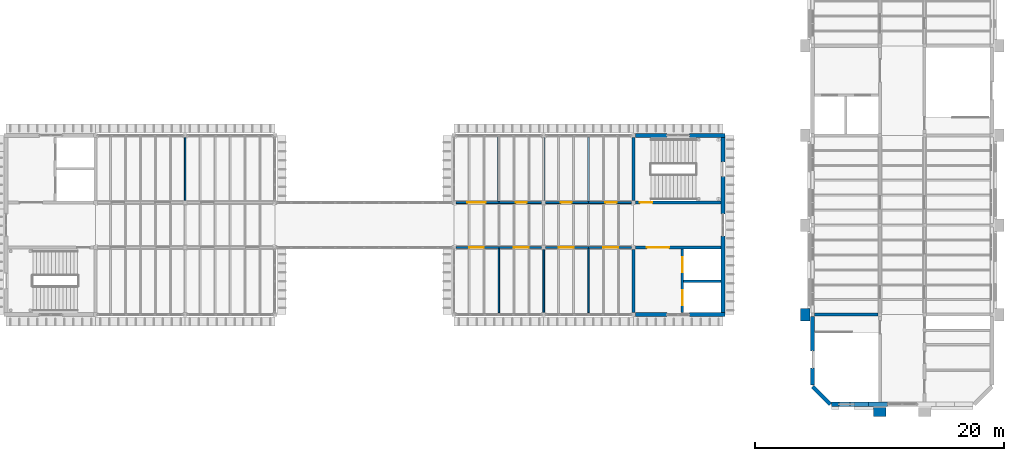
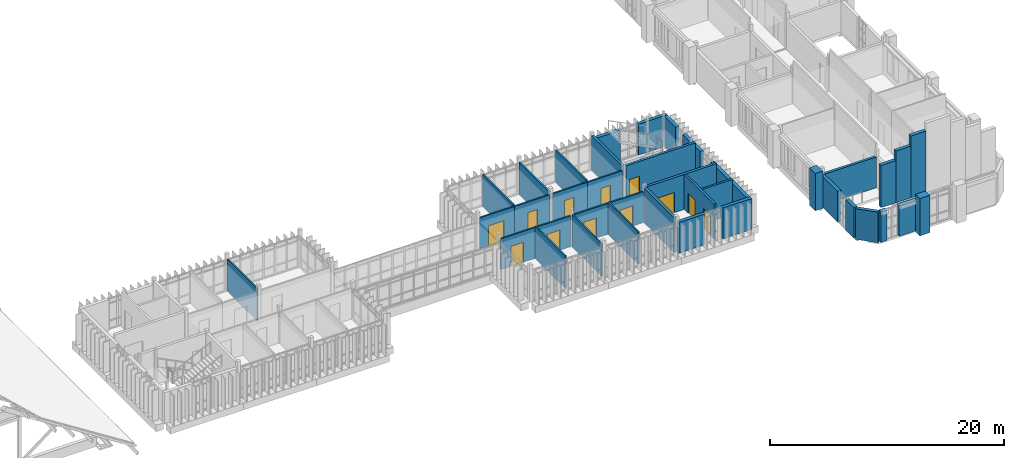
# One storey, part 45 of 71: 39 walls, 12 doors, 12 openings.
"""IFC4 building model written with IfcOpenShell, lengths in metres."""

from ifc_helpers import new_model, si_unit, direction, frame, frame_2d, origin, place, context, subcontext, project, spatial, rectangle, extrude, material, layer, layer_set, type_object, element, fill, save


model = new_model("IFC4")

# Units and contexts
model_context = context("Model", 3, precision=1e-05, world=origin(), true_north=direction((0.0, 1.0)))
body_context = subcontext(model_context, "Body", "Model", "MODEL_VIEW")
ifc_project = project(units=[si_unit("LENGTHUNIT", "METRE"), si_unit("AREAUNIT", "SQUARE_METRE"), si_unit("VOLUMEUNIT", "CUBIC_METRE"), si_unit("PLANEANGLEUNIT", "RADIAN"), si_unit("MASSUNIT", "GRAM", prefix="KILO")], contexts=[model_context])

# Site, building, storey
site_placement = place(None, origin())
site = spatial("IfcSite", under=ifc_project, at=site_placement, CompositionType="ELEMENT")
building_placement = place(site_placement, origin())
building = spatial("IfcBuilding", under=site, at=building_placement, Name="Mazhai Court Health Centre", CompositionType="ELEMENT")
storey_placement = place(building_placement, frame((0.0, 0.0, 10.199951171875)))
storey = spatial("IfcBuildingStorey", under=building, at=storey_placement, Name="L02", CompositionType="ELEMENT", Elevation=10.199951171875)

# Walls
ifc_material_1 = material(Name="Clay brick masonry", Category="masonry")
ifc_layer_1 = layer(ifc_material_1, 0.330078125)
ifc_layer_set_1 = layer_set([ifc_layer_1], Name="BRICK GABLE 330")
wall_type_1 = type_object("IfcWallType", Name="BRICK GABLE 330", PredefinedType="SOLIDWALL", material=ifc_layer_set_1)
wall_1_placement = place(storey_placement, frame((138.800048828125, 6.199951171875, 3.60009765625), z_axis=(0.0, 0.0, 1.0), x_axis=(-1.0, 0.0, 0.0)))
element("IfcWall", 1, at=wall_1_placement, inside=storey, type_object=wall_type_1, Name="EG-V6-S0", PredefinedType="SOLIDWALL", context=body_context, shape_type="SweptSolid", body=[
    extrude(rectangle(XDim=1.468994140625, YDim=0.330078125, at=frame_2d((0.734375, 0.0))), origin(), (0.0, 0.0, 1.0), 4.39990234375),
])
wall_2_placement = place(storey_placement, frame((140.300048828125, 6.199951171875, 3.60009765625), z_axis=(0.0, 0.0, 1.0), x_axis=(-1.0, 0.0, 0.0)))
element("IfcWall", 2, at=wall_2_placement, inside=storey, type_object=wall_type_1, Name="EG-V6-S1", PredefinedType="SOLIDWALL", context=body_context, shape_type="SweptSolid", body=[
    extrude(rectangle(XDim=1.5, YDim=0.330078125, at=frame_2d((0.75, 0.0))), origin(), (0.0, 0.0, 1.0), 5.39990234375),
])
wall_3_placement = place(storey_placement, frame((141.800048828125, 6.199951171875, 3.60009765625), z_axis=(0.0, 0.0, 1.0), x_axis=(-1.0, 0.0, 0.0)))
element("IfcWall", 3, at=wall_3_placement, inside=storey, type_object=wall_type_1, Name="EG-V6-S2", PredefinedType="SOLIDWALL", context=body_context, shape_type="SweptSolid", body=[
    extrude(rectangle(XDim=1.5, YDim=0.330078125, at=frame_2d((0.75, 0.0))), origin(), (0.0, 0.0, 1.0), 6.449951171875),
])
ifc_material_2 = material(Name="Clay brick masonry", Category="masonry")
ifc_layer_2 = layer(ifc_material_2, 0.75)
ifc_layer_set_2 = layer_set([ifc_layer_2], Name="BRICK PIER 750")
wall_type_2 = type_object("IfcWallType", Name="BRICK PIER 750", PredefinedType="SOLIDWALL", material=ifc_layer_set_2)
for number, where, z_axis, x_axis, name in (
    (4, (135.199951171875, 12.89990234375, 0.0), (0.0, 0.0, 1.0), (0.0, 1.0, 0.0), "EP-V6-L02-A1"),
    (5, (141.699951171875, 5.574951171875, 0.0), (0.0, 0.0, 1.0), (-1.0, 0.0, 0.0), "EP-V6-L02-S54"),
):
    element("IfcWall", number, at=place(storey_placement, frame(where, z_axis=z_axis, x_axis=x_axis)), inside=storey, type_object=wall_type_2, Name=name, PredefinedType="SOLIDWALL", context=body_context, shape_type="SweptSolid", body=[
        extrude(rectangle(XDim=1.0, YDim=0.75, at=frame_2d((0.5, 0.0))), origin(), (0.0, 0.0, 1.0), 3.900146484375),
    ])
ifc_material_3 = material(Name="Clay brick masonry", Category="masonry")
ifc_layer_3 = layer(ifc_material_3, 0.330078125)
ifc_layer_set_3 = layer_set([ifc_layer_3], Name="BRICK WALL 330 EXTERNAL")
wall_type_3 = type_object("IfcWallType", Name="BRICK WALL 330 EXTERNAL", PredefinedType="SOLIDWALL", material=ifc_layer_set_3)
wall_4_placement = place(storey_placement, frame((124.10009765625, 13.39990234375, 0.0), z_axis=(0.0, 0.0, 1.0), x_axis=(-1.0, 0.0, 0.0)))
element("IfcWall", 6, at=wall_4_placement, inside=storey, type_object=wall_type_3, Name="EW-V4-L02-A7a", PredefinedType="SOLIDWALL", context=body_context, shape_type="SweptSolid", body=[
    extrude(rectangle(XDim=2.5400390625, YDim=0.330078125, at=frame_2d((1.27001953125, 0.0))), origin(), (0.0, 0.0, 1.0), 3.219970703125),
])
wall_5_placement = place(storey_placement, frame((128.764892578125, 13.39990234375, 0.0), z_axis=(0.0, 0.0, 1.0), x_axis=(-1.0, 0.0, 0.0)))
element("IfcWall", 7, at=wall_5_placement, inside=storey, type_object=wall_type_3, Name="EW-V4-L02-A7b", PredefinedType="SOLIDWALL", context=body_context, shape_type="SweptSolid", body=[
    extrude(rectangle(XDim=2.864990234375, YDim=0.330078125, at=frame_2d((1.4326171875, 0.0))), origin(), (0.0, 0.0, 1.0), 3.219970703125),
])
wall_6_placement = place(storey_placement, frame((121.56005859375, 27.800048828125, 0.0), z_axis=(0.0, 0.0, 1.0), x_axis=(1.0, 0.0, 0.0)))
element("IfcWall", 8, at=wall_6_placement, inside=storey, type_object=wall_type_3, Name="EW-V4-L02-B7a", PredefinedType="SOLIDWALL", context=body_context, shape_type="SweptSolid", body=[
    extrude(rectangle(XDim=2.5400390625, YDim=0.330078125, at=frame_2d((1.27001953125, 0.0))), origin(), (0.0, 0.0, 1.0), 3.219970703125),
])
wall_7_placement = place(storey_placement, frame((125.89990234375, 27.800048828125, 0.0), z_axis=(0.0, 0.0, 1.0), x_axis=(1.0, 0.0, 0.0)))
element("IfcWall", 9, at=wall_7_placement, inside=storey, type_object=wall_type_3, Name="EW-V4-L02-B7b", PredefinedType="SOLIDWALL", context=body_context, shape_type="SweptSolid", body=[
    extrude(rectangle(XDim=2.864990234375, YDim=0.330078125, at=frame_2d((1.4326171875, 0.0))), origin(), (0.0, 0.0, 1.0), 3.219970703125),
])
wall_8_placement = place(storey_placement, frame((128.60009765625, 19.699951171875, 0.0), z_axis=(0.0, 0.0, 1.0), x_axis=(0.0, -1.0, 0.0)))
element("IfcWall", 10, at=wall_8_placement, inside=storey, type_object=wall_type_3, Name="EW-V4-L02-Ep0", PredefinedType="SOLIDWALL", context=body_context, shape_type="SweptSolid", body=[
    extrude(rectangle(XDim=6.135009765625, YDim=0.330078125, at=frame_2d((3.0673828125, 0.0))), origin(), (0.0, 0.0, 1.0), 3.199951171875),
])
wall_9_placement = place(storey_placement, frame((128.60009765625, 24.47998046875, 0.0), z_axis=(0.0, 0.0, 1.0), x_axis=(0.0, -1.0, 0.0)))
element("IfcWall", 11, at=wall_9_placement, inside=storey, type_object=wall_type_3, Name="EW-V4-L02-Ep1", PredefinedType="SOLIDWALL", context=body_context, shape_type="SweptSolid", body=[
    extrude(rectangle(XDim=2.97998046875, YDim=0.330078125, at=frame_2d((1.489990234375, 0.0))), origin(), (0.0, 0.0, 1.0), 3.199951171875),
])
wall_10_placement = place(storey_placement, frame((128.60009765625, 27.635009765625, 0.0), z_axis=(0.0, 0.0, 1.0), x_axis=(0.0, -1.0, 0.0)))
element("IfcWall", 12, at=wall_10_placement, inside=storey, type_object=wall_type_3, Name="EW-V4-L02-Ep2", PredefinedType="SOLIDWALL", context=body_context, shape_type="SweptSolid", body=[
    extrude(rectangle(XDim=1.955078125, YDim=0.330078125, at=frame_2d((0.9775390625, 0.0))), origin(), (0.0, 0.0, 1.0), 3.199951171875),
])
wall_11_placement = place(storey_placement, frame((135.800048828125, 7.73095703125, 0.0), z_axis=(0.0, 0.0, 1.0), x_axis=(0.0, 1.0, 0.0)))
element("IfcWall", 13, at=wall_11_placement, inside=storey, type_object=wall_type_3, Name="EW-V6-L02-A0a", PredefinedType="SOLIDWALL", context=body_context, shape_type="SweptSolid", body=[
    extrude(rectangle(XDim=1.369140625, YDim=0.330078125, at=frame_2d((0.6845703125, 0.0))), origin(), (0.0, 0.0, 1.0), 3.199951171875),
])
wall_12_placement = place(storey_placement, frame((135.800048828125, 10.5, 0.0), z_axis=(0.0, 0.0, 1.0), x_axis=(0.0, 1.0, 0.0)))
element("IfcWall", 14, at=wall_12_placement, inside=storey, type_object=wall_type_3, Name="EW-V6-L02-A0b", PredefinedType="SOLIDWALL", context=body_context, shape_type="SweptSolid", body=[
    extrude(rectangle(XDim=2.760009765625, YDim=0.330078125, at=frame_2d((1.3798828125, 0.0))), origin(), (0.0, 0.0, 1.0), 3.199951171875),
])
wall_13_placement = place(storey_placement, frame((137.919921875, 6.199951171875, 0.0), z_axis=(0.0, 0.0, 1.0), x_axis=(-1.0, 0.0, 0.0)))
element("IfcWall", 15, at=wall_13_placement, inside=storey, type_object=wall_type_3, Name="EW-V6-L02-Sp0", PredefinedType="SOLIDWALL", context=body_context, shape_type="SweptSolid", body=[
    extrude(rectangle(XDim=0.5888671875, YDim=0.330078125, at=frame_2d((0.29443359375, 0.0))), origin(), (0.0, 0.0, 1.0), 3.199951171875),
])
wall_14_placement = place(storey_placement, frame((141.800048828125, 6.199951171875, 0.0), z_axis=(0.0, 0.0, 1.0), x_axis=(-1.0, 0.0, 0.0)))
element("IfcWall", 16, at=wall_14_placement, inside=storey, type_object=wall_type_3, Name="EW-V6-L02-Sp1", PredefinedType="SOLIDWALL", context=body_context, shape_type="SweptSolid", body=[
    extrude(rectangle(XDim=2.679931640625, YDim=0.330078125, at=frame_2d((1.33984375, 0.0))), origin(), (0.0, 0.0, 1.0), 3.199951171875),
])
wall_15_placement = place(storey_placement, frame((135.800048828125, 7.614013671875, 0.0), z_axis=(0.0, 0.0, 1.0), x_axis=(0.707106781187, -0.707106781187, 0.0)))
element("IfcWall", 17, at=wall_15_placement, inside=storey, type_object=wall_type_3, Name="EW-V6-L02-CHA", PredefinedType="SOLIDWALL", context=body_context, shape_type="SweptSolid", body=[
    extrude(rectangle(XDim=1.999755859375, YDim=0.330078125, at=frame_2d((1.0, 0.0))), origin(), (0.0, 0.0, 1.0), 3.199951171875),
])
ifc_material_4 = material(Name="Gypsum plasterboard partition")
ifc_layer_4 = layer(ifc_material_4, 0.125)
ifc_layer_set_4 = layer_set([ifc_layer_4], Name="PARTITION 125 STUD EI30")
wall_type_4 = type_object("IfcWallType", Name="PARTITION 125 STUD EI30", PredefinedType="PARTITIONING", material=ifc_layer_set_4)
wall_16_placement = place(storey_placement, frame((110.60009765625, 13.56494140625, 0.0), z_axis=(0.0, 0.0, 1.0), x_axis=(0.0, 1.0, 0.0)))
element("IfcWall", 18, at=wall_16_placement, inside=storey, type_object=wall_type_4, Name="wall-V4-L02-A1-cross-1a", PredefinedType="PARTITIONING", context=body_context, shape_type="SweptSolid", body=[
    extrude(rectangle(XDim=5.16015625, YDim=0.125, at=frame_2d((2.580078125, 0.0))), origin(), (0.0, 0.0, 1.0), 3.380126953125),
])
wall_17_placement = place(storey_placement, frame((114.199951171875, 13.56494140625, 0.0), z_axis=(0.0, 0.0, 1.0), x_axis=(0.0, 1.0, 0.0)))
element("IfcWall", 19, at=wall_17_placement, inside=storey, type_object=wall_type_4, Name="wall-V4-L02-A1-cross-2a", PredefinedType="PARTITIONING", context=body_context, shape_type="SweptSolid", body=[
    extrude(rectangle(XDim=5.074951171875, YDim=0.125, at=frame_2d((2.53759765625, 0.0))), origin(), (0.0, 0.0, 1.0), 3.380126953125),
])
wall_18_placement = place(storey_placement, frame((117.800048828125, 13.56494140625, 0.0), z_axis=(0.0, 0.0, 1.0), x_axis=(0.0, 1.0, 0.0)))
element("IfcWall", 20, at=wall_18_placement, inside=storey, type_object=wall_type_4, Name="wall-V4-L02-A1-cross-3a", PredefinedType="PARTITIONING", context=body_context, shape_type="SweptSolid", body=[
    extrude(rectangle(XDim=5.16015625, YDim=0.125, at=frame_2d((2.580078125, 0.0))), origin(), (0.0, 0.0, 1.0), 3.380126953125),
])
wall_19_placement = place(storey_placement, frame((85.39990234375, 27.635009765625, 0.0), z_axis=(0.0, 0.0, 1.0), x_axis=(0.0, -1.0, 0.0)))
element("IfcWall", 21, at=wall_19_placement, inside=storey, type_object=wall_type_4, Name="wall-V4-L02-B0-cross-2a", PredefinedType="PARTITIONING", context=body_context, shape_type="SweptSolid", body=[
    extrude(rectangle(XDim=5.074951171875, YDim=0.125, at=frame_2d((2.53759765625, 0.0))), origin(), (0.0, 0.0, 1.0), 3.380126953125),
])

# Wall, opening, door
ifc_material_5 = material(Name="Gypsum plasterboard partition")
ifc_layer_5 = layer(ifc_material_5, 0.14990234375)
ifc_layer_set_5 = layer_set([ifc_layer_5], Name="PARTITION 150 CORRIDOR EI60")
wall_type_5 = type_object("IfcWallType", Name="PARTITION 150 CORRIDOR EI60", PredefinedType="PARTITIONING", material=ifc_layer_set_5)
wall_20_placement = place(storey_placement, frame((110.60009765625, 18.800048828125, 0.0), z_axis=(0.0, 0.0, 1.0), x_axis=(-1.0, 0.0, 0.0)))
wall_20 = element("IfcWall", 22, at=wall_20_placement, inside=storey, type_object=wall_type_5, Name="wall-V4-L02-A1-corr-0a", PredefinedType="PARTITIONING", context=body_context, shape_type="SweptSolid", body=[
    extrude(rectangle(XDim=3.43505859375, YDim=0.14990234375, at=frame_2d((1.717529296875, 0.0))), origin(), (0.0, 0.0, 1.0), 3.219970703125),
])
opening_1_placement = place(wall_20_placement, frame((1.199951171875, 0.0, 0.0)))
opening_1 = element("IfcOpeningElement", 23, at=opening_1_placement, cuts=wall_20, Name="Opening D-L02-045", PredefinedType="OPENING", context=body_context, shape_type="SweptSolid", body=[
    extrude(rectangle(XDim=1.199951171875, YDim=2.10009765625, at=frame_2d((0.60009765625, 1.050048828125))), frame((0.0, 0.0849609375, 0.0), z_axis=(0.0, -1.0, 0.0), x_axis=(1.0, 0.0, 0.0)), (0.0, 0.0, 1.0), 0.169921875),
])
ifc_material_6 = material(Name="Hardwood door leaf", Category="wood")
door_type_1 = type_object("IfcDoorType", Name="DOOR 1200x2100 FD30S WIDE SINGLE", OperationType="NOTDEFINED", PredefinedType="DOOR", material=ifc_material_6)
door_1_placement = place(opening_1_placement, origin())
door_1 = element("IfcDoor", 24, at=door_1_placement, inside=storey, type_object=door_type_1, Name="door-V4-L02-A1-ophthalmology-clinic", OperationType="SINGLE_SWING_RIGHT", OverallHeight=2.10009765625, OverallWidth=1.199951171875, PredefinedType="DOOR", context=body_context, shape_type="SweptSolid", body=[
    extrude(rectangle(XDim=1.199951171875, YDim=2.10009765625, at=frame_2d((0.60009765625, 1.050048828125))), frame((0.0, 0.02490234375, 0.0), z_axis=(0.0, -1.0, 0.0), x_axis=(1.0, 0.0, 0.0)), (0.0, 0.0, 1.0), 0.050048828125),
])
fill(opening_1, door_1)

wall_21_placement = place(storey_placement, frame((114.0400390625, 18.800048828125, 0.0), z_axis=(0.0, 0.0, 1.0), x_axis=(-1.0, 0.0, 0.0)))
wall_21 = element("IfcWall", 25, at=wall_21_placement, inside=storey, type_object=wall_type_5, Name="wall-V4-L02-A1-corr-1a", PredefinedType="PARTITIONING", context=body_context, shape_type="SweptSolid", body=[
    extrude(rectangle(XDim=3.43994140625, YDim=0.14990234375, at=frame_2d((1.719970703125, 0.0))), origin(), (0.0, 0.0, 1.0), 3.219970703125),
])
opening_2_placement = place(wall_21_placement, frame((1.0400390625, 0.0, 0.0)))
opening_2 = element("IfcOpeningElement", 26, at=opening_2_placement, cuts=wall_21, Name="Opening D-L02-047", PredefinedType="OPENING", context=body_context, shape_type="SweptSolid", body=[
    extrude(rectangle(XDim=1.199951171875, YDim=2.10009765625, at=frame_2d((0.60009765625, 1.050048828125))), frame((0.0, 0.0849609375, 0.0), z_axis=(0.0, -1.0, 0.0), x_axis=(1.0, 0.0, 0.0)), (0.0, 0.0, 1.0), 0.169921875),
])
door_2_placement = place(opening_2_placement, origin())
door_2 = element("IfcDoor", 27, at=door_2_placement, inside=storey, type_object=door_type_1, Name="door-V4-L02-A1-ophthalmic-diagnostics-room", OperationType="SINGLE_SWING_LEFT", OverallHeight=2.10009765625, OverallWidth=1.199951171875, PredefinedType="DOOR", context=body_context, shape_type="SweptSolid", body=[
    extrude(rectangle(XDim=1.199951171875, YDim=2.10009765625, at=frame_2d((0.60009765625, 1.050048828125))), frame((0.0, 0.02490234375, 0.0), z_axis=(0.0, -1.0, 0.0), x_axis=(1.0, 0.0, 0.0)), (0.0, 0.0, 1.0), 0.050048828125),
])
fill(opening_2, door_2)

wall_22_placement = place(storey_placement, frame((117.800048828125, 18.800048828125, 0.0), z_axis=(0.0, 0.0, 1.0), x_axis=(-1.0, 0.0, 0.0)))
wall_22 = element("IfcWall", 28, at=wall_22_placement, inside=storey, type_object=wall_type_5, Name="wall-V4-L02-A1-corr-2a", PredefinedType="PARTITIONING", context=body_context, shape_type="SweptSolid", body=[
    extrude(rectangle(XDim=3.43994140625, YDim=0.14990234375, at=frame_2d((1.719970703125, 0.0))), origin(), (0.0, 0.0, 1.0), 3.219970703125),
])
opening_3_placement = place(wall_22_placement, frame((1.199951171875, 0.0, 0.0)))
opening_3 = element("IfcOpeningElement", 29, at=opening_3_placement, cuts=wall_22, Name="Opening D-L02-049", PredefinedType="OPENING", context=body_context, shape_type="SweptSolid", body=[
    extrude(rectangle(XDim=1.199951171875, YDim=2.10009765625, at=frame_2d((0.60009765625, 1.050048828125))), frame((0.0, 0.0849609375, 0.0), z_axis=(0.0, -1.0, 0.0), x_axis=(1.0, 0.0, 0.0)), (0.0, 0.0, 1.0), 0.169921875),
])
door_3_placement = place(opening_3_placement, origin())
door_3 = element("IfcDoor", 30, at=door_3_placement, inside=storey, type_object=door_type_1, Name="door-V4-L02-A1-orthopaedics-clinic", OperationType="SINGLE_SWING_RIGHT", OverallHeight=2.10009765625, OverallWidth=1.199951171875, PredefinedType="DOOR", context=body_context, shape_type="SweptSolid", body=[
    extrude(rectangle(XDim=1.199951171875, YDim=2.10009765625, at=frame_2d((0.60009765625, 1.050048828125))), frame((0.0, 0.02490234375, 0.0), z_axis=(0.0, -1.0, 0.0), x_axis=(1.0, 0.0, 0.0)), (0.0, 0.0, 1.0), 0.050048828125),
])
fill(opening_3, door_3)

wall_23_placement = place(storey_placement, frame((121.239990234375, 18.800048828125, 0.0), z_axis=(0.0, 0.0, 1.0), x_axis=(-1.0, 0.0, 0.0)))
wall_23 = element("IfcWall", 31, at=wall_23_placement, inside=storey, type_object=wall_type_5, Name="wall-V4-L02-A1-corr-3a", PredefinedType="PARTITIONING", context=body_context, shape_type="SweptSolid", body=[
    extrude(rectangle(XDim=3.43994140625, YDim=0.14990234375, at=frame_2d((1.719970703125, 0.0))), origin(), (0.0, 0.0, 1.0), 3.219970703125),
])
opening_4_placement = place(wall_23_placement, frame((1.0400390625, 0.0, 0.0)))
opening_4 = element("IfcOpeningElement", 32, at=opening_4_placement, cuts=wall_23, Name="Opening D-L02-051", PredefinedType="OPENING", context=body_context, shape_type="SweptSolid", body=[
    extrude(rectangle(XDim=1.199951171875, YDim=2.10009765625, at=frame_2d((0.60009765625, 1.050048828125))), frame((0.0, 0.0849609375, 0.0), z_axis=(0.0, -1.0, 0.0), x_axis=(1.0, 0.0, 0.0)), (0.0, 0.0, 1.0), 0.169921875),
])
door_4_placement = place(opening_4_placement, origin())
door_4 = element("IfcDoor", 33, at=door_4_placement, inside=storey, type_object=door_type_1, Name="door-V4-L02-A1-dermatology-clinic", OperationType="SINGLE_SWING_LEFT", OverallHeight=2.10009765625, OverallWidth=1.199951171875, PredefinedType="DOOR", context=body_context, shape_type="SweptSolid", body=[
    extrude(rectangle(XDim=1.199951171875, YDim=2.10009765625, at=frame_2d((0.60009765625, 1.050048828125))), frame((0.0, 0.02490234375, 0.0), z_axis=(0.0, -1.0, 0.0), x_axis=(1.0, 0.0, 0.0)), (0.0, 0.0, 1.0), 0.050048828125),
])
fill(opening_4, door_4)

wall_24_placement = place(storey_placement, frame((107.1650390625, 22.39990234375, 0.0), z_axis=(0.0, 0.0, 1.0), x_axis=(1.0, 0.0, 0.0)))
wall_24 = element("IfcWall", 34, at=wall_24_placement, inside=storey, type_object=wall_type_5, Name="wall-V4-L02-B1-corr-0a", PredefinedType="PARTITIONING", context=body_context, shape_type="SweptSolid", body=[
    extrude(rectangle(XDim=3.43505859375, YDim=0.14990234375, at=frame_2d((1.717529296875, 0.0))), origin(), (0.0, 0.0, 1.0), 3.219970703125),
])
opening_5_placement = place(wall_24_placement, frame((0.885009765625, 0.0, 0.0)))
opening_5 = element("IfcOpeningElement", 35, at=opening_5_placement, cuts=wall_24, Name="Opening D-L02-046", PredefinedType="OPENING", context=body_context, shape_type="SweptSolid", body=[
    extrude(rectangle(XDim=1.5, YDim=2.10009765625, at=frame_2d((0.75, 1.050048828125))), frame((0.0, 0.0849609375, 0.0), z_axis=(0.0, -1.0, 0.0), x_axis=(1.0, 0.0, 0.0)), (0.0, 0.0, 1.0), 0.169921875),
])
ifc_material_7 = material(Name="Hardwood door leaf", Category="wood")
door_type_2 = type_object("IfcDoorType", Name="DOOR 1500x2100 FD30S DOUBLE", OperationType="NOTDEFINED", PredefinedType="DOOR", material=ifc_material_7)
door_5_placement = place(opening_5_placement, origin())
door_5 = element("IfcDoor", 36, at=door_5_placement, inside=storey, type_object=door_type_2, Name="door-V4-L02-B1-waiting-alcove", OperationType="DOUBLE_DOOR_SINGLE_SWING", OverallHeight=2.10009765625, OverallWidth=1.5, PredefinedType="DOOR", context=body_context, shape_type="SweptSolid", body=[
    extrude(rectangle(XDim=1.5, YDim=2.10009765625, at=frame_2d((0.75, 1.050048828125))), frame((0.0, 0.02490234375, 0.0), z_axis=(0.0, -1.0, 0.0), x_axis=(1.0, 0.0, 0.0)), (0.0, 0.0, 1.0), 0.050048828125),
])
fill(opening_5, door_5)

wall_25_placement = place(storey_placement, frame((114.0400390625, 22.39990234375, 0.0), z_axis=(0.0, 0.0, 1.0), x_axis=(-1.0, 0.0, 0.0)))
wall_25 = element("IfcWall", 37, at=wall_25_placement, inside=storey, type_object=wall_type_5, Name="wall-V4-L02-B1-corr-1a", PredefinedType="PARTITIONING", context=body_context, shape_type="SweptSolid", body=[
    extrude(rectangle(XDim=3.43994140625, YDim=0.14990234375, at=frame_2d((1.719970703125, 0.0))), origin(), (0.0, 0.0, 1.0), 3.219970703125),
])
opening_6_placement = place(wall_25_placement, frame((1.18994140625, 0.0, 0.0)))
opening_6 = element("IfcOpeningElement", 38, at=opening_6_placement, cuts=wall_25, Name="Opening D-L02-048", PredefinedType="OPENING", context=body_context, shape_type="SweptSolid", body=[
    extrude(rectangle(XDim=0.89990234375, YDim=2.10009765625, at=frame_2d((0.449951171875, 1.050048828125))), frame((0.0, 0.0849609375, 0.0), z_axis=(0.0, -1.0, 0.0), x_axis=(1.0, 0.0, 0.0)), (0.0, 0.0, 1.0), 0.169921875),
])
ifc_material_8 = material(Name="Hardwood door leaf", Category="wood")
door_type_3 = type_object("IfcDoorType", Name="DOOR 900x2100 FD30S SINGLE", OperationType="NOTDEFINED", PredefinedType="DOOR", material=ifc_material_8)
door_6_placement = place(opening_6_placement, origin())
door_6 = element("IfcDoor", 39, at=door_6_placement, inside=storey, type_object=door_type_3, Name="door-V4-L02-B1-accessible-wc", OperationType="SINGLE_SWING_LEFT", OverallHeight=2.10009765625, OverallWidth=0.89990234375, PredefinedType="DOOR", context=body_context, shape_type="SweptSolid", body=[
    extrude(rectangle(XDim=0.89990234375, YDim=2.10009765625, at=frame_2d((0.449951171875, 1.050048828125))), frame((0.0, 0.02490234375, 0.0), z_axis=(0.0, -1.0, 0.0), x_axis=(1.0, 0.0, 0.0)), (0.0, 0.0, 1.0), 0.050048828125),
])
fill(opening_6, door_6)

wall_26_placement = place(storey_placement, frame((117.800048828125, 22.39990234375, 0.0), z_axis=(0.0, 0.0, 1.0), x_axis=(-1.0, 0.0, 0.0)))
wall_26 = element("IfcWall", 40, at=wall_26_placement, inside=storey, type_object=wall_type_5, Name="wall-V4-L02-B1-corr-2a", PredefinedType="PARTITIONING", context=body_context, shape_type="SweptSolid", body=[
    extrude(rectangle(XDim=3.43994140625, YDim=0.14990234375, at=frame_2d((1.719970703125, 0.0))), origin(), (0.0, 0.0, 1.0), 3.219970703125),
])
opening_7_placement = place(wall_26_placement, frame((1.35009765625, 0.0, 0.0)))
opening_7 = element("IfcOpeningElement", 41, at=opening_7_placement, cuts=wall_26, Name="Opening D-L02-050", PredefinedType="OPENING", context=body_context, shape_type="SweptSolid", body=[
    extrude(rectangle(XDim=0.89990234375, YDim=2.10009765625, at=frame_2d((0.449951171875, 1.050048828125))), frame((0.0, 0.0849609375, 0.0), z_axis=(0.0, -1.0, 0.0), x_axis=(1.0, 0.0, 0.0)), (0.0, 0.0, 1.0), 0.169921875),
])
door_7_placement = place(opening_7_placement, origin())
door_7 = element("IfcDoor", 42, at=door_7_placement, inside=storey, type_object=door_type_3, Name="door-V4-L02-B1-wc-male", OperationType="SINGLE_SWING_RIGHT", OverallHeight=2.10009765625, OverallWidth=0.89990234375, PredefinedType="DOOR", context=body_context, shape_type="SweptSolid", body=[
    extrude(rectangle(XDim=0.89990234375, YDim=2.10009765625, at=frame_2d((0.449951171875, 1.050048828125))), frame((0.0, 0.02490234375, 0.0), z_axis=(0.0, -1.0, 0.0), x_axis=(1.0, 0.0, 0.0)), (0.0, 0.0, 1.0), 0.050048828125),
])
fill(opening_7, door_7)

wall_27_placement = place(storey_placement, frame((121.239990234375, 22.39990234375, 0.0), z_axis=(0.0, 0.0, 1.0), x_axis=(-1.0, 0.0, 0.0)))
wall_27 = element("IfcWall", 43, at=wall_27_placement, inside=storey, type_object=wall_type_5, Name="wall-V4-L02-B1-corr-3a", PredefinedType="PARTITIONING", context=body_context, shape_type="SweptSolid", body=[
    extrude(rectangle(XDim=3.43994140625, YDim=0.14990234375, at=frame_2d((1.719970703125, 0.0))), origin(), (0.0, 0.0, 1.0), 3.219970703125),
])
opening_8_placement = place(wall_27_placement, frame((1.18994140625, 0.0, 0.0)))
opening_8 = element("IfcOpeningElement", 44, at=opening_8_placement, cuts=wall_27, Name="Opening D-L02-052", PredefinedType="OPENING", context=body_context, shape_type="SweptSolid", body=[
    extrude(rectangle(XDim=0.89990234375, YDim=2.10009765625, at=frame_2d((0.449951171875, 1.050048828125))), frame((0.0, 0.0849609375, 0.0), z_axis=(0.0, -1.0, 0.0), x_axis=(1.0, 0.0, 0.0)), (0.0, 0.0, 1.0), 0.169921875),
])
door_8_placement = place(opening_8_placement, origin())
door_8 = element("IfcDoor", 45, at=door_8_placement, inside=storey, type_object=door_type_3, Name="door-V4-L02-B1-wc-female", OperationType="SINGLE_SWING_LEFT", OverallHeight=2.10009765625, OverallWidth=0.89990234375, PredefinedType="DOOR", context=body_context, shape_type="SweptSolid", body=[
    extrude(rectangle(XDim=0.89990234375, YDim=2.10009765625, at=frame_2d((0.449951171875, 1.050048828125))), frame((0.0, 0.02490234375, 0.0), z_axis=(0.0, -1.0, 0.0), x_axis=(1.0, 0.0, 0.0)), (0.0, 0.0, 1.0), 0.050048828125),
])
fill(opening_8, door_8)

# Walls
ifc_material_9 = material(Name="Gypsum plasterboard partition")
ifc_layer_6 = layer(ifc_material_9, 0.14990234375)
ifc_layer_set_6 = layer_set([ifc_layer_6], Name="PARTITION 150 WET AREA EI30")
wall_type_6 = type_object("IfcWallType", Name="PARTITION 150 WET AREA EI30", PredefinedType="PARTITIONING", material=ifc_layer_set_6)
wall_28_placement = place(storey_placement, frame((110.60009765625, 27.635009765625, 0.0), z_axis=(0.0, 0.0, 1.0), x_axis=(0.0, -1.0, 0.0)))
element("IfcWall", 46, at=wall_28_placement, inside=storey, type_object=wall_type_6, Name="wall-V4-L02-B1-cross-1a", PredefinedType="PARTITIONING", context=body_context, shape_type="SweptSolid", body=[
    extrude(rectangle(XDim=5.159912109375, YDim=0.14990234375, at=frame_2d((2.580078125, 0.0))), origin(), (0.0, 0.0, 1.0), 3.380126953125),
])
wall_29_placement = place(storey_placement, frame((114.199951171875, 27.635009765625, 0.0), z_axis=(0.0, 0.0, 1.0), x_axis=(0.0, -1.0, 0.0)))
element("IfcWall", 47, at=wall_29_placement, inside=storey, type_object=wall_type_6, Name="wall-V4-L02-B1-cross-2a", PredefinedType="PARTITIONING", context=body_context, shape_type="SweptSolid", body=[
    extrude(rectangle(XDim=5.074951171875, YDim=0.14990234375, at=frame_2d((2.53759765625, 0.0))), origin(), (0.0, 0.0, 1.0), 3.380126953125),
])
wall_30_placement = place(storey_placement, frame((117.800048828125, 27.635009765625, 0.0), z_axis=(0.0, 0.0, 1.0), x_axis=(0.0, -1.0, 0.0)))
element("IfcWall", 48, at=wall_30_placement, inside=storey, type_object=wall_type_6, Name="wall-V4-L02-B1-cross-3a", PredefinedType="PARTITIONING", context=body_context, shape_type="SweptSolid", body=[
    extrude(rectangle(XDim=5.159912109375, YDim=0.14990234375, at=frame_2d((2.580078125, 0.0))), origin(), (0.0, 0.0, 1.0), 3.380126953125),
])

# Wall, opening, door
ifc_material_10 = material(Name="Concrete M40", Category="concrete")
ifc_layer_7 = layer(ifc_material_10, 0.25)
ifc_layer_set_7 = layer_set([ifc_layer_7], Name="RC CORE WALL 250 M40")
wall_type_7 = type_object("IfcWallType", Name="RC CORE WALL 250 M40", PredefinedType="SHEAR", material=ifc_layer_set_7)
wall_31_placement = place(storey_placement, frame((121.56005859375, 22.39990234375, 0.0), z_axis=(0.0, 0.0, 1.0), x_axis=(1.0, 0.0, 0.0)))
wall_31 = element("IfcWall", 49, at=wall_31_placement, inside=storey, type_object=wall_type_7, Name="core-C7-w-stair-corr-L02", PredefinedType="SHEAR", context=body_context, shape_type="SweptSolid", body=[
    extrude(rectangle(XDim=6.875, YDim=0.25, at=frame_2d((3.4375, 0.0))), origin(), (0.0, 0.0, 1.0), 3.650146484375),
])
opening_9_placement = place(wall_31_placement, frame((0.364990234375, 0.0, 0.0)))
opening_9 = element("IfcOpeningElement", 50, at=opening_9_placement, cuts=wall_31, Name="Opening D-L02-053", PredefinedType="OPENING", context=body_context, shape_type="SweptSolid", body=[
    extrude(rectangle(XDim=1.0, YDim=2.10009765625, at=frame_2d((0.5, 1.050048828125))), frame((0.0, 0.135009765625, 0.0), z_axis=(0.0, -1.0, 0.0), x_axis=(1.0, 0.0, 0.0)), (0.0, 0.0, 1.0), 0.27001953125),
])
ifc_material_11 = material(Name="Steel fire door leaf", Category="steel")
door_type_4 = type_object("IfcDoorType", Name="FD120S STAIR DOOR 1000x2100", OperationType="SINGLE_SWING_LEFT", PredefinedType="DOOR", material=ifc_material_11)
door_9_placement = place(opening_9_placement, origin())
door_9 = element("IfcDoor", 51, at=door_9_placement, inside=storey, type_object=door_type_4, Name="Stair 7 door L02", OperationType="SINGLE_SWING_RIGHT", OverallHeight=2.10009765625, OverallWidth=1.0, PredefinedType="DOOR", context=body_context, shape_type="SweptSolid", body=[
    extrude(rectangle(XDim=1.0, YDim=2.10009765625, at=frame_2d((0.5, 1.050048828125))), frame((0.0, 0.02490234375, 0.0), z_axis=(0.0, -1.0, 0.0), x_axis=(1.0, 0.0, 0.0)), (0.0, 0.0, 1.0), 0.050048828125),
])
fill(opening_9, door_9)

# Wall
wall_32_placement = place(storey_placement, frame((121.39990234375, 22.56005859375, 0.0), z_axis=(0.0, 0.0, 1.0), x_axis=(0.0, 1.0, 0.0)))
element("IfcWall", 52, at=wall_32_placement, inside=storey, type_object=wall_type_7, Name="core-C7-w-stair-line0-L02", PredefinedType="SHEAR", context=body_context, shape_type="SweptSolid", body=[
    extrude(rectangle(XDim=5.079833984375, YDim=0.25, at=frame_2d((2.5400390625, 0.0))), origin(), (0.0, 0.0, 1.0), 3.650146484375),
])

# Wall, opening, door
wall_33_placement = place(storey_placement, frame((121.56005859375, 18.800048828125, 0.0), z_axis=(0.0, 0.0, 1.0), x_axis=(1.0, 0.0, 0.0)))
wall_33 = element("IfcWall", 53, at=wall_33_placement, inside=storey, type_object=wall_type_7, Name="core-C7-w-other-corr-L02", PredefinedType="SHEAR", context=body_context, shape_type="SweptSolid", body=[
    extrude(rectangle(XDim=6.875, YDim=0.25, at=frame_2d((3.4375, 0.0))), origin(), (0.0, 0.0, 1.0), 3.650146484375),
])
opening_10_placement = place(wall_33_placement, frame((0.919921875, 0.0, 0.0)))
opening_10 = element("IfcOpeningElement", 54, at=opening_10_placement, cuts=wall_33, Name="Opening D-L02-054", PredefinedType="OPENING", context=body_context, shape_type="SweptSolid", body=[
    extrude(rectangle(XDim=1.800048828125, YDim=2.10009765625, at=frame_2d((0.89990234375, 1.050048828125))), frame((0.0, 0.135009765625, 0.0), z_axis=(0.0, -1.0, 0.0), x_axis=(1.0, 0.0, 0.0)), (0.0, 0.0, 1.0), 0.27001953125),
])
ifc_material_12 = material(Name="Steel fire door leaf", Category="steel")
door_type_5 = type_object("IfcDoorType", Name="FD60S LIFT LOBBY DOOR 1800x2100", OperationType="DOUBLE_DOOR_SINGLE_SWING", PredefinedType="DOOR", material=ifc_material_12)
door_10_placement = place(opening_10_placement, origin())
door_10 = element("IfcDoor", 55, at=door_10_placement, inside=storey, type_object=door_type_5, Name="Lift lobby door L02", OperationType="DOUBLE_DOOR_SINGLE_SWING", OverallHeight=2.10009765625, OverallWidth=1.800048828125, PredefinedType="DOOR", context=body_context, shape_type="SweptSolid", body=[
    extrude(rectangle(XDim=1.800048828125, YDim=2.10009765625, at=frame_2d((0.89990234375, 1.050048828125))), frame((0.0, 0.02490234375, 0.0), z_axis=(0.0, -1.0, 0.0), x_axis=(1.0, 0.0, 0.0)), (0.0, 0.0, 1.0), 0.050048828125),
])
fill(opening_10, door_10)

# Walls
wall_34_placement = place(storey_placement, frame((121.39990234375, 13.56005859375, 0.0), z_axis=(0.0, 0.0, 1.0), x_axis=(0.0, 1.0, 0.0)))
element("IfcWall", 56, at=wall_34_placement, inside=storey, type_object=wall_type_7, Name="core-C7-w-other-line0-L02", PredefinedType="SHEAR", context=body_context, shape_type="SweptSolid", body=[
    extrude(rectangle(XDim=5.079833984375, YDim=0.25, at=frame_2d((2.5400390625, 0.0))), origin(), (0.0, 0.0, 1.0), 3.650146484375),
])
wall_35_placement = place(storey_placement, frame((135.93994140625, 13.39990234375, 0.0), z_axis=(0.0, 0.0, 1.0), x_axis=(1.0, 0.0, 0.0)))
element("IfcWall", 57, at=wall_35_placement, inside=storey, type_object=wall_type_7, Name="core-C8-w-stair-line0-L02", PredefinedType="SHEAR", context=body_context, shape_type="SweptSolid", body=[
    extrude(rectangle(XDim=5.1201171875, YDim=0.25, at=frame_2d((2.56005859375, 0.0))), origin(), (0.0, 0.0, 1.0), 3.199951171875),
])

# Wall, openings, doors
ifc_material_13 = material(Name="Concrete M40", Category="concrete")
ifc_layer_8 = layer(ifc_material_13, 0.199951171875)
ifc_layer_set_8 = layer_set([ifc_layer_8], Name="RC SHAFT WALL 200 M40")
wall_type_8 = type_object("IfcWallType", Name="RC SHAFT WALL 200 M40", PredefinedType="SHEAR", material=ifc_layer_set_8)
wall_36_placement = place(storey_placement, frame((125.3349609375, 13.56494140625, 0.0), z_axis=(0.0, 0.0, 1.0), x_axis=(0.0, 1.0, 0.0)))
wall_36 = element("IfcWall", 58, at=wall_36_placement, inside=storey, type_object=wall_type_8, Name="core-C7-w-front-L02", PredefinedType="SHEAR", context=body_context, shape_type="SweptSolid", body=[
    extrude(rectangle(XDim=5.110107421875, YDim=0.199951171875, at=frame_2d((2.55517578125, 0.0))), origin(), (0.0, 0.0, 1.0), 3.650146484375),
])
opening_11_placement = place(wall_36_placement, frame((0.60009765625, 0.0, 0.0)))
opening_11 = element("IfcOpeningElement", 59, at=opening_11_placement, cuts=wall_36, Name="Opening LD7-L02", PredefinedType="OPENING", context=body_context, shape_type="SweptSolid", body=[
    extrude(rectangle(XDim=1.199951171875, YDim=2.10009765625, at=frame_2d((0.60009765625, 1.050048828125))), frame((0.0, 0.10986328125, 0.0), z_axis=(0.0, -1.0, 0.0), x_axis=(1.0, 0.0, 0.0)), (0.0, 0.0, 1.0), 0.219970703125),
])
opening_12_placement = place(wall_36_placement, frame((3.2548828125, 0.0, 0.0)))
opening_12 = element("IfcOpeningElement", 60, at=opening_12_placement, cuts=wall_36, Name="Opening LD8-L02", PredefinedType="OPENING", context=body_context, shape_type="SweptSolid", body=[
    extrude(rectangle(XDim=1.199951171875, YDim=2.10009765625, at=frame_2d((0.60009765625, 1.050048828125))), frame((0.0, 0.10986328125, 0.0), z_axis=(0.0, -1.0, 0.0), x_axis=(1.0, 0.0, 0.0)), (0.0, 0.0, 1.0), 0.219970703125),
])
ifc_material_14 = material(Name="Stainless steel lift door", Category="steel")
door_type_6 = type_object("IfcDoorType", Name="LIFT LANDING DOOR 1200x2100", OperationType="DOUBLE_DOOR_SLIDING", PredefinedType="DOOR", material=ifc_material_14)
door_11_placement = place(opening_11_placement, origin())
door_11 = element("IfcDoor", 61, at=door_11_placement, inside=storey, type_object=door_type_6, Name="Landing door LD7 L02", OperationType="DOUBLE_DOOR_SLIDING", OverallHeight=2.10009765625, OverallWidth=1.199951171875, PredefinedType="DOOR", context=body_context, shape_type="SweptSolid", body=[
    extrude(rectangle(XDim=1.199951171875, YDim=2.10009765625, at=frame_2d((0.60009765625, 1.050048828125))), frame((0.0, 0.02490234375, 0.0), z_axis=(0.0, -1.0, 0.0), x_axis=(1.0, 0.0, 0.0)), (0.0, 0.0, 1.0), 0.050048828125),
])
fill(opening_11, door_11)
door_12_placement = place(opening_12_placement, origin())
door_12 = element("IfcDoor", 62, at=door_12_placement, inside=storey, type_object=door_type_6, Name="Landing door LD8 L02", OperationType="DOUBLE_DOOR_SLIDING", OverallHeight=2.10009765625, OverallWidth=1.199951171875, PredefinedType="DOOR", context=body_context, shape_type="SweptSolid", body=[
    extrude(rectangle(XDim=1.199951171875, YDim=2.10009765625, at=frame_2d((0.60009765625, 1.050048828125))), frame((0.0, 0.02490234375, 0.0), z_axis=(0.0, -1.0, 0.0), x_axis=(1.0, 0.0, 0.0)), (0.0, 0.0, 1.0), 0.050048828125),
])
fill(opening_12, door_12)

# Wall
wall_37_placement = place(storey_placement, frame((128.43505859375, 16.06494140625, 0.0), z_axis=(0.0, 0.0, 1.0), x_axis=(-1.0, 0.0, 0.0)))
element("IfcWall", 63, at=wall_37_placement, inside=storey, type_object=wall_type_8, Name="core-C7-w-divider0-L02", PredefinedType="SHEAR", context=body_context, shape_type="SweptSolid", body=[
    extrude(rectangle(XDim=3.0, YDim=0.199951171875, at=frame_2d((1.5, 0.0))), origin(), (0.0, 0.0, 1.0), 3.650146484375),
])

save(model, "model.ifc")
